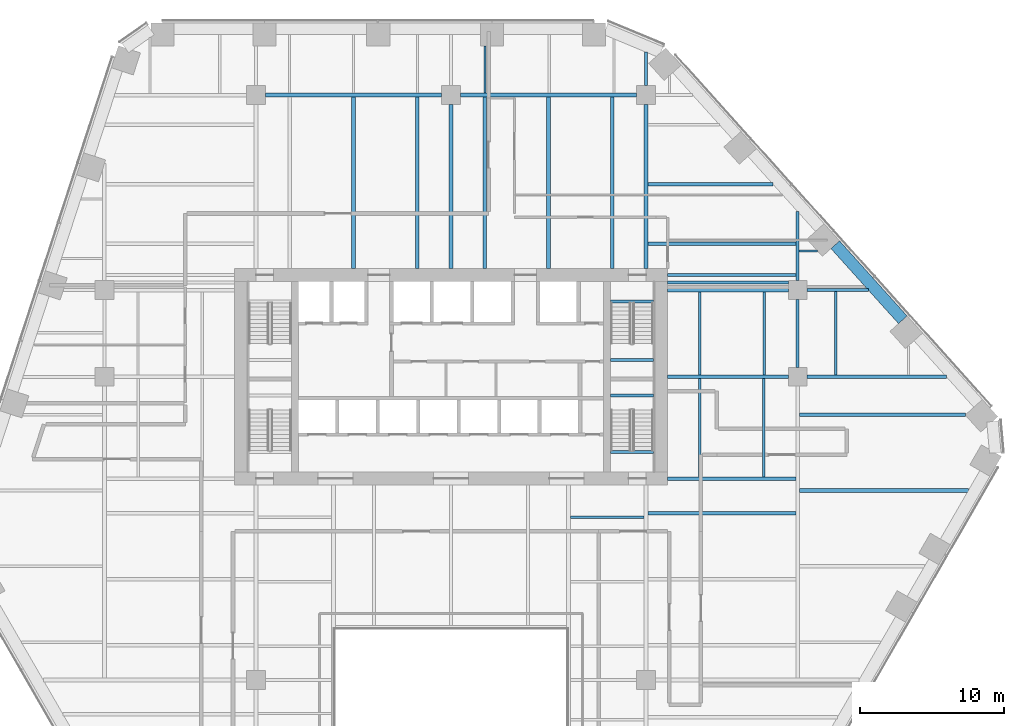
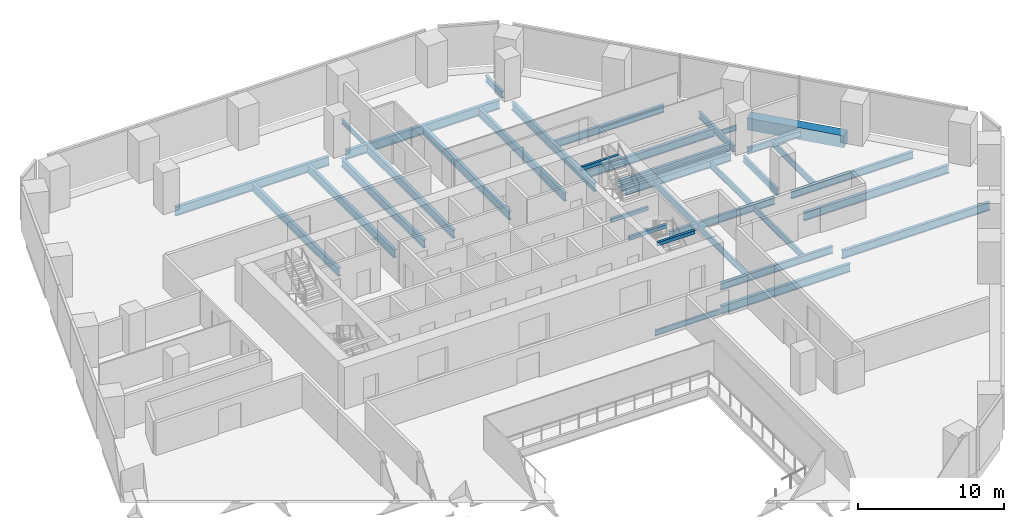
# One storey, part 9 of 19: 37 beams.
"""IFC4 building model written with IfcOpenShell, lengths in metres."""

from ifc_helpers import new_model, si_unit, direction, frame, origin, origin_2d, place, context, subcontext, project, spatial, rectangle, i_section, extrude, material, material_profile, profile_set, type_object, element, save


model = new_model("IFC4")

# Units and contexts
model_context = context("Model", 3, precision=1e-05, world=origin(), true_north=direction((0.0, 1.0)))
body_context = subcontext(model_context, "Body", "Model", "MODEL_VIEW")
ifc_project = project(units=[si_unit("LENGTHUNIT", "METRE"), si_unit("AREAUNIT", "SQUARE_METRE"), si_unit("VOLUMEUNIT", "CUBIC_METRE"), si_unit("PLANEANGLEUNIT", "RADIAN"), si_unit("MASSUNIT", "GRAM", prefix="KILO")], contexts=[model_context])

# Site, building, storey
site_placement = place(None, origin())
site = spatial("IfcSite", under=ifc_project, at=site_placement, CompositionType="ELEMENT")
building_placement = place(site_placement, origin())
building = spatial("IfcBuilding", under=site, at=building_placement, Name="Isthmus Gate Tower", CompositionType="ELEMENT")
storey_placement = place(building_placement, frame((0.0, 0.0, 87.949951171875)))
storey = spatial("IfcBuildingStorey", under=building, at=storey_placement, Name="L20", CompositionType="ELEMENT", Elevation=87.949951171875)

# Beams
ifc_material_1 = material(Name="Concrete f'c 70 MPa", Category="concrete")
ifc_material_profile_1 = material_profile(ifc_material_1, rectangle(XDim=0.800048828125, YDim=1.0, at=origin_2d()), Name="RC 800X1000")
ifc_profile_set_1 = profile_set([ifc_material_profile_1], Name="Concrete f'c 70 MPa")
beam_type_1 = type_object("IfcBeamType", Name="RC SPANDREL 800 X 1000", PredefinedType="SPANDREL", material=ifc_profile_set_1)
beam_1_placement = place(storey_placement, frame((26.597900390625, 16.640380859375, -0.5), z_axis=(0.669128753615, -0.743146493691, 0.0), x_axis=(0.743146493691, 0.669128753615, 0.0)))
element("IfcBeam", 1, at=beam_1_placement, inside=storey, type_object=beam_type_1, Name="str-spandrel-L20-03", PredefinedType="SPANDREL", context=body_context, shape_type="SweptSolid", body=[
    extrude(rectangle(XDim=0.800048828125, YDim=1.0, at=origin_2d()), origin(), (0.0, 0.0, 1.0), 6.9892578125),
])
ifc_material_2 = material(Name="Concrete f'c 40 MPa", Category="concrete")
ifc_material_profile_2 = material_profile(ifc_material_2, rectangle(XDim=0.199951171875, YDim=0.300048828125, at=origin_2d()), Name="STAIR LANDING BEAM RC 200 X 300")
ifc_profile_set_2 = profile_set([ifc_material_profile_2], Name="Concrete f'c 40 MPa")
beam_type_2 = type_object("IfcBeamType", Name="STAIR LANDING BEAM RC 200 X 300", PredefinedType="BEAM", material=ifc_profile_set_2)
for number, where, z_axis, x_axis, name in (
    (2, (11.050048828125, 8.64990234375, 1.47509765625), (1.0, 0.0, 0.0), (0.0, 1.0, 0.0), "L20 ST2 landing beam 1"),
    (3, (11.050048828125, 12.7001953125, 3.35009765625), (1.0, 0.0, 0.0), (0.0, 1.0, 0.0), "L20 ST2 floor-edge seat beam"),
    (4, (11.050048828125, 6.199951171875, 1.47509765625), (1.0, 0.0, 0.0), (0.0, 1.0, 0.0), "L20 ST8 landing beam 1"),
    (5, (11.050048828125, 2.2998046875, 3.35009765625), (1.0, 0.0, 0.0), (0.0, 1.0, 0.0), "L20 ST8 floor-edge seat beam"),
):
    element("IfcBeam", number, at=place(storey_placement, frame(where, z_axis=z_axis, x_axis=x_axis)), inside=storey, type_object=beam_type_2, Name=name, PredefinedType="BEAM", context=body_context, shape_type="SweptSolid", body=[
        extrude(rectangle(XDim=0.199951171875, YDim=0.300048828125, at=origin_2d()), origin(), (0.0, 0.0, 1.0), 2.949951171875),
    ])
ifc_material_3 = material(Name="Structural steel ASTM A992 Gr 50", Category="steel")
ifc_material_profile_3 = material_profile(ifc_material_3, i_section(OverallWidth=0.1396484375, OverallDepth=0.4033203125, WebThickness=0.00634765625, FlangeThickness=0.010986328125, at=origin_2d()), Name="W16X31")
ifc_profile_set_3 = profile_set([ifc_material_profile_3], Name="Structural steel ASTM A992 Gr 50")
beam_type_3 = type_object("IfcBeamType", Name="STEEL FLOOR BEAM W16X31", PredefinedType="JOIST", material=ifc_profile_set_3)
beam_2_placement = place(storey_placement, frame((2.33740234375, 27.1318359375, -0.3515625), z_axis=(0.0, 1.0, 0.0), x_axis=(-1.0, 0.0, 0.0)))
element("IfcBeam", 6, at=beam_2_placement, inside=storey, type_object=beam_type_3, Name="str-beam-L20-20-00", PredefinedType="JOIST", context=body_context, shape_type="SweptSolid", body=[
    extrude(i_section(OverallWidth=0.1396484375, OverallDepth=0.4033203125, WebThickness=0.00634765625, FlangeThickness=0.010986328125, at=origin_2d()), origin(), (0.0, 0.0, 1.0), 3.26806640625),
])
beam_3_placement = place(storey_placement, frame((24.104736328125, 16.208251953125, -0.3515625), z_axis=(1.0, 0.0, 0.0), x_axis=(0.0, 1.0, 0.0)))
element("IfcBeam", 7, at=beam_3_placement, inside=storey, type_object=beam_type_3, Name="str-beam-L20-32-00", PredefinedType="JOIST", context=body_context, shape_type="SweptSolid", body=[
    extrude(i_section(OverallWidth=0.1396484375, OverallDepth=0.4033203125, WebThickness=0.00634765625, FlangeThickness=0.010986328125, at=origin_2d()), origin(), (0.0, 0.0, 1.0), 1.267578125),
])
ifc_material_4 = material(Name="Structural steel ASTM A992 Gr 50", Category="steel")
ifc_material_profile_4 = material_profile(ifc_material_4, i_section(OverallWidth=0.15234375, OverallDepth=0.45068359375, WebThickness=0.0078125, FlangeThickness=0.010986328125, at=origin_2d()), Name="W18X35")
ifc_profile_set_4 = profile_set([ifc_material_profile_4], Name="Structural steel ASTM A992 Gr 50")
beam_type_4 = type_object("IfcBeamType", Name="STEEL FLOOR BEAM W18X35", PredefinedType="JOIST", material=ifc_profile_set_4)
beam_4_placement = place(storey_placement, frame((8.263427734375, -2.232421875, -0.375244140625), z_axis=(1.0, 0.0, 0.0), x_axis=(0.0, 1.0, 0.0)))
element("IfcBeam", 8, at=beam_4_placement, inside=storey, type_object=beam_type_4, Name="str-beam-L20-24-02", PredefinedType="JOIST", context=body_context, shape_type="SweptSolid", body=[
    extrude(i_section(OverallWidth=0.15234375, OverallDepth=0.45068359375, WebThickness=0.0078125, FlangeThickness=0.010986328125, at=origin_2d()), origin(), (0.0, 0.0, 1.0), 5.104736328125),
])
ifc_material_5 = material(Name="Structural steel ASTM A992 Gr 50", Category="steel")
ifc_material_profile_5 = material_profile(ifc_material_5, i_section(OverallWidth=0.1650390625, OverallDepth=0.52392578125, WebThickness=0.009521484375, FlangeThickness=0.010986328125, at=origin_2d()), Name="W21X44")
ifc_profile_set_5 = profile_set([ifc_material_profile_5], Name="Structural steel ASTM A992 Gr 50")
beam_type_5 = type_object("IfcBeamType", Name="STEEL FLOOR BEAM W21X44", PredefinedType="JOIST", material=ifc_profile_set_5)
for number, where, z_axis, x_axis, name in (
    (9, (17.223876953125, 7.6142578125, -0.411865234375), (0.0, 1.0, 0.0), (-1.0, 0.0, 0.0), "str-beam-L20-30-00"),
    (10, (21.67138671875, 7.6142578125, -0.411865234375), (0.0, 1.0, 0.0), (-1.0, 0.0, 0.0), "str-beam-L20-30-01"),
):
    element("IfcBeam", number, at=place(storey_placement, frame(where, z_axis=z_axis, x_axis=x_axis)), inside=storey, type_object=beam_type_5, Name=name, PredefinedType="JOIST", context=body_context, shape_type="SweptSolid", body=[
        extrude(i_section(OverallWidth=0.1650390625, OverallDepth=0.52392578125, WebThickness=0.009521484375, FlangeThickness=0.010986328125, at=origin_2d()), origin(), (0.0, 0.0, 1.0), 5.771484375),
    ])
for number, where, z_axis, x_axis, name in (
    (11, (17.216552734375, 0.564208984375, -0.411865234375), (0.0, 1.0, 0.0), (-1.0, 0.0, 0.0), "str-beam-L20-31-00"),
    (12, (21.64990234375, 0.564208984375, -0.411865234375), (0.0, 1.0, 0.0), (-1.0, 0.0, 0.0), "str-beam-L20-31-01"),
):
    element("IfcBeam", number, at=place(storey_placement, frame(where, z_axis=z_axis, x_axis=x_axis)), inside=storey, type_object=beam_type_5, Name=name, PredefinedType="JOIST", context=body_context, shape_type="SweptSolid", body=[
        extrude(i_section(OverallWidth=0.1650390625, OverallDepth=0.52392578125, WebThickness=0.009521484375, FlangeThickness=0.010986328125, at=origin_2d()), origin(), (0.0, 0.0, 1.0), 6.821533203125),
    ])
beam_5_placement = place(storey_placement, frame((26.625244140625, 7.6142578125, -0.411865234375), z_axis=(0.0, 1.0, 0.0), x_axis=(-1.0, 0.0, 0.0)))
element("IfcBeam", 13, at=beam_5_placement, inside=storey, type_object=beam_type_5, Name="str-beam-L20-33-00", PredefinedType="JOIST", context=body_context, shape_type="SweptSolid", body=[
    extrude(i_section(OverallWidth=0.1650390625, OverallDepth=0.52392578125, WebThickness=0.009521484375, FlangeThickness=0.010986328125, at=origin_2d()), origin(), (0.0, 0.0, 1.0), 5.781005859375),
])
ifc_material_6 = material(Name="Structural steel ASTM A992 Gr 50", Category="steel")
ifc_material_profile_6 = material_profile(ifc_material_6, i_section(OverallWidth=0.177734375, OverallDepth=0.60009765625, WebThickness=0.009521484375, FlangeThickness=0.0126953125, at=origin_2d()), Name="W24X55")
ifc_profile_set_6 = profile_set([ifc_material_profile_6], Name="Structural steel ASTM A992 Gr 50")
beam_type_6 = type_object("IfcBeamType", Name="STEEL FLOOR BEAM W24X55", PredefinedType="JOIST", material=ifc_profile_set_6)
beam_6_placement = place(storey_placement, frame((15.0, 14.02490234375, -0.449951171875), z_axis=(1.0, 0.0, 0.0), x_axis=(0.0, 1.0, 0.0)))
element("IfcBeam", 14, at=beam_6_placement, inside=storey, type_object=beam_type_6, Name="str-beam-L20-29-00", PredefinedType="JOIST", context=body_context, shape_type="SweptSolid", body=[
    extrude(i_section(OverallWidth=0.177734375, OverallDepth=0.60009765625, WebThickness=0.009521484375, FlangeThickness=0.0126953125, at=origin_2d()), origin(), (0.0, 0.0, 1.0), 8.35009765625),
])
ifc_material_7 = material(Name="Structural steel ASTM A992 Gr 50", Category="steel")
ifc_material_profile_7 = material_profile(ifc_material_7, i_section(OverallWidth=0.228515625, OverallDepth=0.603271484375, WebThickness=0.010986328125, FlangeThickness=0.014404296875, at=origin_2d()), Name="W24X68")
ifc_profile_set_7 = profile_set([ifc_material_profile_7], Name="Structural steel ASTM A992 Gr 50")
beam_type_7 = type_object("IfcBeamType", Name="STEEL FLOOR BEAM W24X68", PredefinedType="JOIST", material=ifc_profile_set_7)
beam_7_placement = place(storey_placement, frame((13.626953125, 20.83203125, -0.45166015625), z_axis=(1.0, 0.0, 0.0), x_axis=(0.0, 1.0, 0.0)))
element("IfcBeam", 15, at=beam_7_placement, inside=storey, type_object=beam_type_7, Name="str-beam-L20-26-01", PredefinedType="JOIST", context=body_context, shape_type="SweptSolid", body=[
    extrude(i_section(OverallWidth=0.228515625, OverallDepth=0.603271484375, WebThickness=0.010986328125, FlangeThickness=0.014404296875, at=origin_2d()), origin(), (0.0, 0.0, 1.0), 8.658447265625),
])
ifc_material_8 = material(Name="Structural steel ASTM A992 Gr 50", Category="steel")
ifc_material_profile_8 = material_profile(ifc_material_8, i_section(OverallWidth=0.25390625, OverallDepth=0.679443359375, WebThickness=0.010986328125, FlangeThickness=0.015869140625, at=origin_2d()), Name="W27X84")
ifc_profile_set_8 = profile_set([ifc_material_profile_8], Name="Structural steel ASTM A992 Gr 50")
beam_type_8 = type_object("IfcBeamType", Name="STEEL FLOOR BEAM W27X84", PredefinedType="JOIST", material=ifc_profile_set_8)
for number, where, z_axis, x_axis, name in (
    (16, (-6.75, 15.0, -0.48974609375), (0.0, 1.0, 0.0), (-1.0, 0.0, 0.0), "str-beam-L20-14-01"),
    (17, (-2.334716796875, 15.0, -0.48974609375), (0.0, 1.0, 0.0), (-1.0, 0.0, 0.0), "str-beam-L20-14-02"),
    (18, (2.334716796875, 15.0, -0.48974609375), (0.0, 1.0, 0.0), (-1.0, 0.0, 0.0), "str-beam-L20-21-00"),
    (19, (6.75, 15.0, -0.48974609375), (0.0, 1.0, 0.0), (-1.0, 0.0, 0.0), "str-beam-L20-21-01"),
    (20, (11.165283203125, 15.0, -0.48974609375), (0.0, 1.0, 0.0), (-1.0, 0.0, 0.0), "str-beam-L20-21-02"),
):
    element("IfcBeam", number, at=place(storey_placement, frame(where, z_axis=z_axis, x_axis=x_axis)), inside=storey, type_object=beam_type_8, Name=name, PredefinedType="JOIST", context=body_context, shape_type="SweptSolid", body=[
        extrude(i_section(OverallWidth=0.25390625, OverallDepth=0.679443359375, WebThickness=0.010986328125, FlangeThickness=0.015869140625, at=origin_2d()), origin(), (0.0, 0.0, 1.0), 11.8681640625),
    ])
beam_8_placement = place(storey_placement, frame((13.626953125, 16.72021484375, -0.48974609375), z_axis=(1.0, 0.0, 0.0), x_axis=(0.0, 1.0, 0.0)))
element("IfcBeam", 21, at=beam_8_placement, inside=storey, type_object=beam_type_8, Name="str-beam-L20-26-00", PredefinedType="JOIST", context=body_context, shape_type="SweptSolid", body=[
    extrude(i_section(OverallWidth=0.25390625, OverallDepth=0.679443359375, WebThickness=0.010986328125, FlangeThickness=0.015869140625, at=origin_2d()), origin(), (0.0, 0.0, 1.0), 10.268310546875),
])
beam_9_placement = place(storey_placement, frame((13.6318359375, -1.947998046875, -0.48974609375), z_axis=(1.0, 0.0, 0.0), x_axis=(0.0, 1.0, 0.0)))
element("IfcBeam", 22, at=beam_9_placement, inside=storey, type_object=beam_type_8, Name="str-beam-L20-27-02", PredefinedType="JOIST", context=body_context, shape_type="SweptSolid", body=[
    extrude(i_section(OverallWidth=0.25390625, OverallDepth=0.679443359375, WebThickness=0.010986328125, FlangeThickness=0.015869140625, at=origin_2d()), origin(), (0.0, 0.0, 1.0), 10.23486328125),
])
beam_10_placement = place(storey_placement, frame((24.13330078125, -0.375, -0.48974609375), z_axis=(1.0, 0.0, 0.0), x_axis=(0.0, 1.0, 0.0)))
element("IfcBeam", 23, at=beam_10_placement, inside=storey, type_object=beam_type_8, Name="str-beam-L20-34-02", PredefinedType="JOIST", context=body_context, shape_type="SweptSolid", body=[
    extrude(i_section(OverallWidth=0.25390625, OverallDepth=0.679443359375, WebThickness=0.010986328125, FlangeThickness=0.015869140625, at=origin_2d()), origin(), (0.0, 0.0, 1.0), 11.6767578125),
])
beam_11_placement = place(storey_placement, frame((24.13330078125, 4.875, -0.48974609375), z_axis=(1.0, 0.0, 0.0), x_axis=(0.0, 1.0, 0.0)))
element("IfcBeam", 24, at=beam_11_placement, inside=storey, type_object=beam_type_8, Name="str-beam-L20-34-03", PredefinedType="JOIST", context=body_context, shape_type="SweptSolid", body=[
    extrude(i_section(OverallWidth=0.25390625, OverallDepth=0.679443359375, WebThickness=0.010986328125, FlangeThickness=0.015869140625, at=origin_2d()), origin(), (0.0, 0.0, 1.0), 11.484130859375),
])
ifc_material_9 = material(Name="Structural steel ASTM A992 Gr 50", Category="steel")
ifc_material_profile_9 = material_profile(ifc_material_9, i_section(OverallWidth=0.20947265625, OverallDepth=0.533447265625, WebThickness=0.009521484375, FlangeThickness=0.015869140625, at=origin_2d()), Name="W21X62")
ifc_profile_set_9 = profile_set([ifc_material_profile_9], Name="Structural steel ASTM A992 Gr 50")
beam_type_9 = type_object("IfcBeamType", Name="STEEL GIRDER W21X62", PredefinedType="BEAM", material=ifc_profile_set_9)
beam_12_placement = place(storey_placement, frame((24.64990234375, 13.5, -0.416748046875), z_axis=(1.0, 0.0, 0.0), x_axis=(0.0, 1.0, 0.0)))
element("IfcBeam", 25, at=beam_12_placement, inside=storey, type_object=beam_type_9, Name="str-girder-L20-16", PredefinedType="BEAM", context=body_context, shape_type="SweptSolid", body=[
    extrude(i_section(OverallWidth=0.20947265625, OverallDepth=0.533447265625, WebThickness=0.009521484375, FlangeThickness=0.015869140625, at=origin_2d()), origin(), (0.0, 0.0, 1.0), 4.2373046875),
])
beam_13_placement = place(storey_placement, frame((13.5, 27.64990234375, -0.416748046875), z_axis=(0.0, 1.0, 0.0), x_axis=(-1.0, 0.0, 0.0)))
element("IfcBeam", 26, at=beam_13_placement, inside=storey, type_object=beam_type_9, Name="str-girder-L20-35", PredefinedType="BEAM", context=body_context, shape_type="SweptSolid", body=[
    extrude(i_section(OverallWidth=0.20947265625, OverallDepth=0.533447265625, WebThickness=0.009521484375, FlangeThickness=0.015869140625, at=origin_2d()), origin(), (0.0, 0.0, 1.0), 2.320068359375),
])
beam_14_placement = place(storey_placement, frame((24.0, 8.14990234375, -0.416748046875), z_axis=(0.0, 1.0, 0.0), x_axis=(-1.0, 0.0, 0.0)))
element("IfcBeam", 27, at=beam_14_placement, inside=storey, type_object=beam_type_9, Name="str-girder-L20-37", PredefinedType="BEAM", context=body_context, shape_type="SweptSolid", body=[
    extrude(i_section(OverallWidth=0.20947265625, OverallDepth=0.533447265625, WebThickness=0.009521484375, FlangeThickness=0.015869140625, at=origin_2d()), origin(), (0.0, 0.0, 1.0), 4.7001953125),
])
beam_15_placement = place(storey_placement, frame((24.0, 14.14990234375, -0.416748046875), z_axis=(0.0, 1.0, 0.0), x_axis=(-1.0, 0.0, 0.0)))
element("IfcBeam", 28, at=beam_15_placement, inside=storey, type_object=beam_type_9, Name="str-girder-L20-38", PredefinedType="BEAM", context=body_context, shape_type="SweptSolid", body=[
    extrude(i_section(OverallWidth=0.20947265625, OverallDepth=0.533447265625, WebThickness=0.009521484375, FlangeThickness=0.015869140625, at=origin_2d()), origin(), (0.0, 0.0, 1.0), 4.778076171875),
])
ifc_material_10 = material(Name="Structural steel ASTM A992 Gr 50", Category="steel")
ifc_material_profile_10 = material_profile(ifc_material_10, i_section(OverallWidth=0.228515625, OverallDepth=0.6064453125, WebThickness=0.010986328125, FlangeThickness=0.017578125, at=origin_2d()), Name="W24X76")
ifc_profile_set_10 = profile_set([ifc_material_profile_10], Name="Structural steel ASTM A992 Gr 50")
beam_type_10 = type_object("IfcBeamType", Name="STEEL GIRDER W24X76", PredefinedType="BEAM", material=ifc_profile_set_10)
beam_16_placement = place(storey_placement, frame((15.0, 7.5, -0.453125), z_axis=(1.0, 0.0, 0.0), x_axis=(0.0, 1.0, 0.0)))
element("IfcBeam", 29, at=beam_16_placement, inside=storey, type_object=beam_type_10, Name="str-girder-L20-11", PredefinedType="BEAM", context=body_context, shape_type="SweptSolid", body=[
    extrude(i_section(OverallWidth=0.228515625, OverallDepth=0.6064453125, WebThickness=0.010986328125, FlangeThickness=0.017578125, at=origin_2d()), origin(), (0.0, 0.0, 1.0), 8.35009765625),
])
beam_17_placement = place(storey_placement, frame((24.64990234375, 7.5, -0.453125), z_axis=(1.0, 0.0, 0.0), x_axis=(0.0, 1.0, 0.0)))
element("IfcBeam", 30, at=beam_17_placement, inside=storey, type_object=beam_type_10, Name="str-girder-L20-12", PredefinedType="BEAM", context=body_context, shape_type="SweptSolid", body=[
    extrude(i_section(OverallWidth=0.228515625, OverallDepth=0.6064453125, WebThickness=0.010986328125, FlangeThickness=0.017578125, at=origin_2d()), origin(), (0.0, 0.0, 1.0), 9.639892578125),
])
beam_18_placement = place(storey_placement, frame((15.0, 13.5, -0.453125), z_axis=(1.0, 0.0, 0.0), x_axis=(0.0, 1.0, 0.0)))
element("IfcBeam", 31, at=beam_18_placement, inside=storey, type_object=beam_type_10, Name="str-girder-L20-15", PredefinedType="BEAM", context=body_context, shape_type="SweptSolid", body=[
    extrude(i_section(OverallWidth=0.228515625, OverallDepth=0.6064453125, WebThickness=0.010986328125, FlangeThickness=0.017578125, at=origin_2d()), origin(), (0.0, 0.0, 1.0), 8.35009765625),
])
beam_19_placement = place(storey_placement, frame((15.0, 0.449951171875, -0.453125), z_axis=(1.0, 0.0, 0.0), x_axis=(0.0, 1.0, 0.0)))
element("IfcBeam", 32, at=beam_19_placement, inside=storey, type_object=beam_type_10, Name="str-girder-L20-40", PredefinedType="BEAM", context=body_context, shape_type="SweptSolid", body=[
    extrude(i_section(OverallWidth=0.228515625, OverallDepth=0.6064453125, WebThickness=0.010986328125, FlangeThickness=0.017578125, at=origin_2d()), origin(), (0.0, 0.0, 1.0), 8.86669921875),
])
beam_20_placement = place(storey_placement, frame((15.0, 14.550048828125, -0.453125), z_axis=(1.0, 0.0, 0.0), x_axis=(0.0, 1.0, 0.0)))
element("IfcBeam", 33, at=beam_20_placement, inside=storey, type_object=beam_type_10, Name="str-girder-L20-42", PredefinedType="BEAM", context=body_context, shape_type="SweptSolid", body=[
    extrude(i_section(OverallWidth=0.228515625, OverallDepth=0.6064453125, WebThickness=0.010986328125, FlangeThickness=0.017578125, at=origin_2d()), origin(), (0.0, 0.0, 1.0), 8.895263671875),
])
ifc_material_11 = material(Name="Structural steel ASTM A992 Gr 50", Category="steel")
ifc_material_profile_11 = material_profile(ifc_material_11, i_section(OverallWidth=0.25390625, OverallDepth=0.679443359375, WebThickness=0.010986328125, FlangeThickness=0.015869140625, at=origin_2d()), Name="W27X84")
ifc_profile_set_11 = profile_set([ifc_material_profile_11], Name="Structural steel ASTM A992 Gr 50")
beam_type_11 = type_object("IfcBeamType", Name="STEEL GIRDER W27X84", PredefinedType="BEAM", material=ifc_profile_set_11)
for number, where, z_axis, x_axis, name in (
    (34, (0.0, 15.0, -0.48974609375), (0.0, 1.0, 0.0), (-1.0, 0.0, 0.0), "str-girder-L20-30"),
    (35, (13.5, 15.0, -0.48974609375), (0.0, 1.0, 0.0), (-1.0, 0.0, 0.0), "str-girder-L20-34"),
):
    element("IfcBeam", number, at=place(storey_placement, frame(where, z_axis=z_axis, x_axis=x_axis)), inside=storey, type_object=beam_type_11, Name=name, PredefinedType="BEAM", context=body_context, shape_type="SweptSolid", body=[
        extrude(i_section(OverallWidth=0.25390625, OverallDepth=0.679443359375, WebThickness=0.010986328125, FlangeThickness=0.015869140625, at=origin_2d()), origin(), (0.0, 0.0, 1.0), 11.35009765625),
    ])
ifc_material_12 = material(Name="Structural steel ASTM A992 Gr 50", Category="steel")
ifc_material_profile_12 = material_profile(ifc_material_12, i_section(OverallWidth=0.263427734375, OverallDepth=0.749267578125, WebThickness=0.0126953125, FlangeThickness=0.015869140625, at=origin_2d()), Name="W30X90")
ifc_profile_set_12 = profile_set([ifc_material_profile_12], Name="Structural steel ASTM A992 Gr 50")
beam_type_12 = type_object("IfcBeamType", Name="STEEL GIRDER W30X90", PredefinedType="BEAM", material=ifc_profile_set_12)
for number, where, z_axis, x_axis, name in (
    (36, (-12.85009765625, 27.0, -0.524658203125), (1.0, 0.0, 0.0), (0.0, 1.0, 0.0), "str-girder-L20-18"),
    (37, (0.64990234375, 27.0, -0.524658203125), (1.0, 0.0, 0.0), (0.0, 1.0, 0.0), "str-girder-L20-19"),
):
    element("IfcBeam", number, at=place(storey_placement, frame(where, z_axis=z_axis, x_axis=x_axis)), inside=storey, type_object=beam_type_12, Name=name, PredefinedType="BEAM", context=body_context, shape_type="SweptSolid", body=[
        extrude(i_section(OverallWidth=0.263427734375, OverallDepth=0.749267578125, WebThickness=0.0126953125, FlangeThickness=0.015869140625, at=origin_2d()), origin(), (0.0, 0.0, 1.0), 12.2001953125),
    ])

save(model, "model.ifc")
